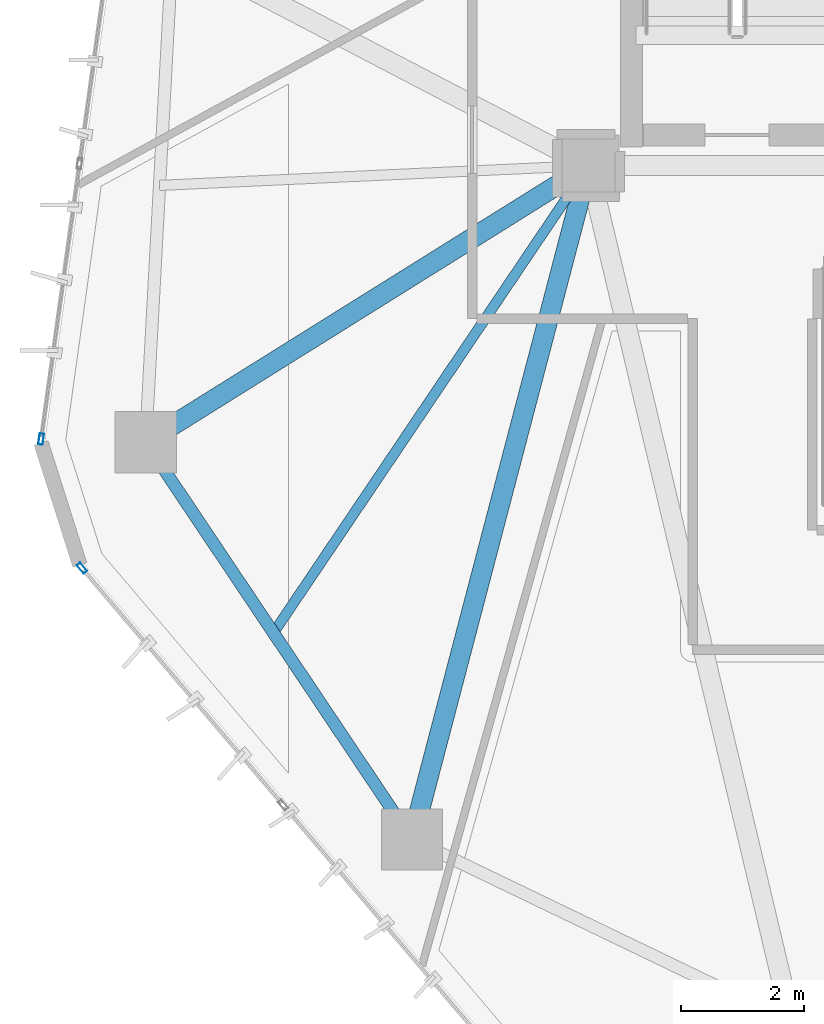
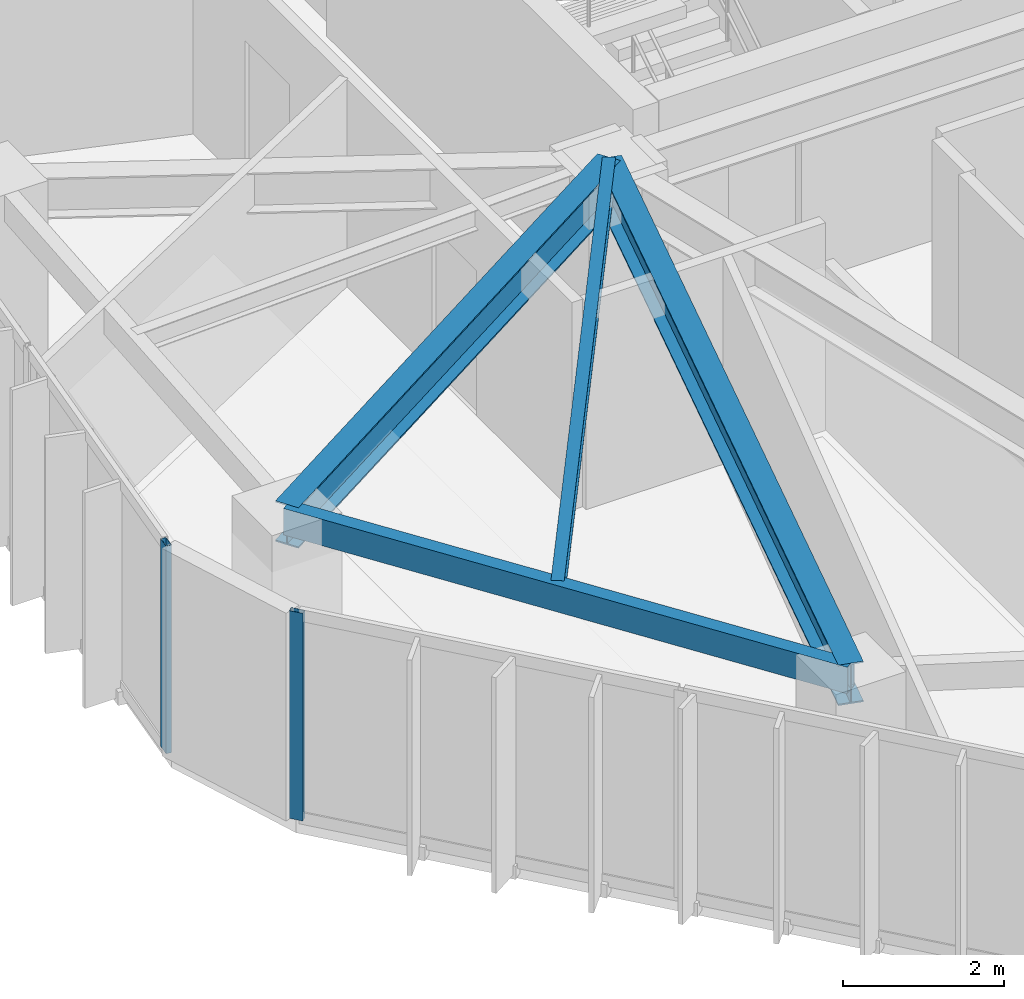
# One storey, part 4 of 21: 4 beams, 2 members, 2 elements without a shape of their own.
"""IFC4 building model written with IfcOpenShell, lengths in metres."""

from ifc_helpers import new_model, si_unit, direction, frame, origin, origin_2d, place, context, subcontext, project, spatial, hollow_rectangle, i_section, extrude, source, transform, mapped, material, layer, layer_set, material_profile, profile_set, type_object, type_shapes, element, aggregate, save


model = new_model("IFC4")

# Units and contexts
model_context = context("Model", 3, precision=1e-05, world=origin(), true_north=direction((0.0, 1.0)))
body_context = subcontext(model_context, "Body", "Model", "MODEL_VIEW")
ifc_project = project(units=[si_unit("LENGTHUNIT", "METRE"), si_unit("AREAUNIT", "SQUARE_METRE"), si_unit("VOLUMEUNIT", "CUBIC_METRE"), si_unit("PLANEANGLEUNIT", "RADIAN"), si_unit("MASSUNIT", "GRAM", prefix="KILO")], contexts=[model_context])

# Site, building, storey
site_placement = place(None, origin())
site = spatial("IfcSite", under=ifc_project, at=site_placement, CompositionType="ELEMENT")
building_placement = place(site_placement, origin())
building = spatial("IfcBuilding", under=site, at=building_placement, Name="Talar Marvaseh", CompositionType="ELEMENT")
storey_placement = place(building_placement, frame((0.0, 0.0, 232.699951171875)))
storey = spatial("IfcBuildingStorey", under=building, at=storey_placement, Name="L61", CompositionType="ELEMENT", Elevation=232.699951171875)

# Beams
ifc_material_1 = material(Name="Steel S355", Category="steel")
ifc_material_profile_1 = material_profile(ifc_material_1, hollow_rectangle(XDim=0.199951171875, YDim=0.39990234375, WallThickness=0.013916015625, at=origin_2d()), Name="RHS400x200x14")
ifc_profile_set_1 = profile_set([ifc_material_profile_1], Name="Steel S355")
beam_type_1 = type_object("IfcBeamType", Name="Zone 3 Perimeter Spandrel Beam RHS400x200x14", PredefinedType="SPANDREL", material=ifc_profile_set_1)
beam_1_placement = place(storey_placement, frame((15.819091796875, 14.5009765625, 2.949951171875), z_axis=(-0.556805579613, 0.830642851358, 0.0), x_axis=(-0.830642851358, -0.556805579613, 0.0)))
element("IfcBeam", 1, at=beam_1_placement, inside=storey, type_object=beam_type_1, Name="L61 Zone 3 Perimeter Spandrel Beam RHS400x200x14", PredefinedType="SPANDREL", context=body_context, shape_type="SweptSolid", body=[
    extrude(hollow_rectangle(XDim=0.199951171875, YDim=0.39990234375, WallThickness=0.013916015625, at=origin_2d()), origin(), (0.0, 0.0, 1.0), 7.807373046875),
])
ifc_material_profile_2 = material_profile(ifc_material_1, i_section(OverallWidth=0.324951171875, OverallDepth=0.615966796875, WebThickness=0.013916015625, FlangeThickness=0.021484375, at=origin_2d()), Name="W610x174")
ifc_profile_set_2 = profile_set([ifc_material_profile_2], Name="Steel S355")
beam_type_2 = type_object("IfcBeamType", Name="Zone 3 Radial Floor Girder W610x174", PredefinedType="BEAM", material=ifc_profile_set_2)
beam_2_placement = place(storey_placement, frame((15.819091796875, 14.5009765625, 2.842041015625), z_axis=(0.253372787776, 0.967368714821, 0.0), x_axis=(-0.967368714821, 0.253372787776, 0.0)))
element("IfcBeam", 2, at=beam_2_placement, inside=storey, type_object=beam_type_2, Name="L61 Zone 3 Radial Floor Girder W610x174", PredefinedType="BEAM", context=body_context, shape_type="SweptSolid", body=[
    extrude(i_section(OverallWidth=0.324951171875, OverallDepth=0.615966796875, WebThickness=0.013916015625, FlangeThickness=0.021484375, at=origin_2d()), origin(), (0.0, 0.0, 1.0), 11.3701171875),
])
beam_3_placement = place(storey_placement, frame((11.471923828125, 20.986083984375, 2.842041015625), z_axis=(0.848188171212, 0.52969503133, 0.0), x_axis=(-0.52969503133, 0.848188171212, 0.0)))
element("IfcBeam", 3, at=beam_3_placement, inside=storey, type_object=beam_type_2, Name="L61 Zone 3 Radial Floor Girder W610x174", PredefinedType="BEAM", context=body_context, shape_type="SweptSolid", body=[
    extrude(i_section(OverallWidth=0.324951171875, OverallDepth=0.615966796875, WebThickness=0.013916015625, FlangeThickness=0.021484375, at=origin_2d()), origin(), (0.0, 0.0, 1.0), 8.521728515625),
])
ifc_material_profile_3 = material_profile(ifc_material_1, i_section(OverallWidth=0.166015625, OverallDepth=0.31298828125, WebThickness=0.006591796875, FlangeThickness=0.01123046875, at=origin_2d()), Name="W310x45")
ifc_profile_set_3 = profile_set([ifc_material_profile_3], Name="Steel S355")
beam_type_3 = type_object("IfcBeamType", Name="Zone 3 Secondary Floor Joist W310x45", PredefinedType="JOIST", material=ifc_profile_set_3)
beam_4_placement = place(storey_placement, frame((13.55859375, 17.873291015625, 2.99365234375), z_axis=(0.558974483718, 0.829184856683, 0.0), x_axis=(-0.829184856683, 0.558974483718, 0.0)))
element("IfcBeam", 4, at=beam_4_placement, inside=storey, type_object=beam_type_3, Name="L61 Zone 3 Secondary Floor Joist W310x45", PredefinedType="JOIST", context=body_context, shape_type="SweptSolid", body=[
    extrude(i_section(OverallWidth=0.166015625, OverallDepth=0.31298828125, WebThickness=0.006591796875, FlangeThickness=0.01123046875, at=origin_2d()), origin(), (0.0, 0.0, 1.0), 9.19775390625),
])

# Curtain wall, member
ifc_material_2 = material(Name="Architectural Aluminium", Category="aluminium")
ifc_layer = layer(ifc_material_2, 0.18994140625)
ifc_layer_set = layer_set([ifc_layer], Name="Architectural Aluminium")
curtain_wall_type = type_object("IfcCurtainWallType", Name="Unitised Solar Atelier Curtain Wall Z3", PredefinedType="NOTDEFINED", material=ifc_layer_set)
curtain_wall_1_placement = place(storey_placement, origin())
curtain_wall_1 = element("IfcCurtainWall", 5, at=curtain_wall_1_placement, inside=storey, type_object=curtain_wall_type, Name="L61 Unitised Solar Atelier Curtain Wall Z3", PredefinedType="NOTDEFINED")
ifc_material_profile_4 = material_profile(ifc_material_2, hollow_rectangle(XDim=0.074951171875, YDim=0.179931640625, WallThickness=0.0048828125, at=origin_2d()), Name="RHS180x75x5")
ifc_profile_set_4 = profile_set([ifc_material_profile_4], Name="Architectural Aluminium")
member_type = type_object("IfcMemberType", Name="Unitised Curtain Wall Standard Mullion RHS180x75x5", PredefinedType="MULLION", material=ifc_profile_set_4)
shared_shape = source(origin(), body_context, "Body", "SweptSolid", [
    extrude(hollow_rectangle(XDim=0.074951171875, YDim=0.179931640625, WallThickness=0.0048828125, at=origin_2d()), origin(), (0.0, 0.0, 1.0), 3.150146484375),
])
type_shapes(member_type, [shared_shape])
member_1_placement = place(storey_placement, frame((10.432373046875, 18.93212890625, 0.0), z_axis=(0.0, 0.0, 1.0), x_axis=(-0.76214871019, -0.647401995329, 0.0)))
member_1 = element("IfcMember", 6, at=member_1_placement, type_object=member_type, Name="CW-Z3 mullion 4", PredefinedType="MULLION", context=body_context, shape_type="MappedRepresentation", body=[
    mapped(shared_shape, transform((0.0, 0.0, 0.0), x_axis=(1.0, 0.0, 0.0), y_axis=(0.0, 1.0, 0.0), z_axis=(0.0, 0.0, 1.0), scale=1.0)),
])
aggregate(curtain_wall_1, [member_1])

curtain_wall_2_placement = place(storey_placement, origin())
curtain_wall_2 = element("IfcCurtainWall", 7, at=curtain_wall_2_placement, inside=storey, type_object=curtain_wall_type, Name="L61 Unitised Solar Atelier Curtain Wall Z3", PredefinedType="NOTDEFINED")
member_2_placement = place(storey_placement, frame((9.76708984375, 21.03515625, 0.0), z_axis=(0.0, 0.0, 1.0), x_axis=(-0.990433084786, 0.137993856972, 0.0)))
member_2 = element("IfcMember", 8, at=member_2_placement, type_object=member_type, Name="CW-Z3 mullion 1", PredefinedType="MULLION", context=body_context, shape_type="MappedRepresentation", body=[
    mapped(shared_shape, transform((0.0, 0.0, 0.0), x_axis=(1.0, 0.0, 0.0), y_axis=(0.0, 1.0, 0.0), z_axis=(0.0, 0.0, 1.0), scale=1.0)),
])
aggregate(curtain_wall_2, [member_2])

save(model, "model.ifc")
